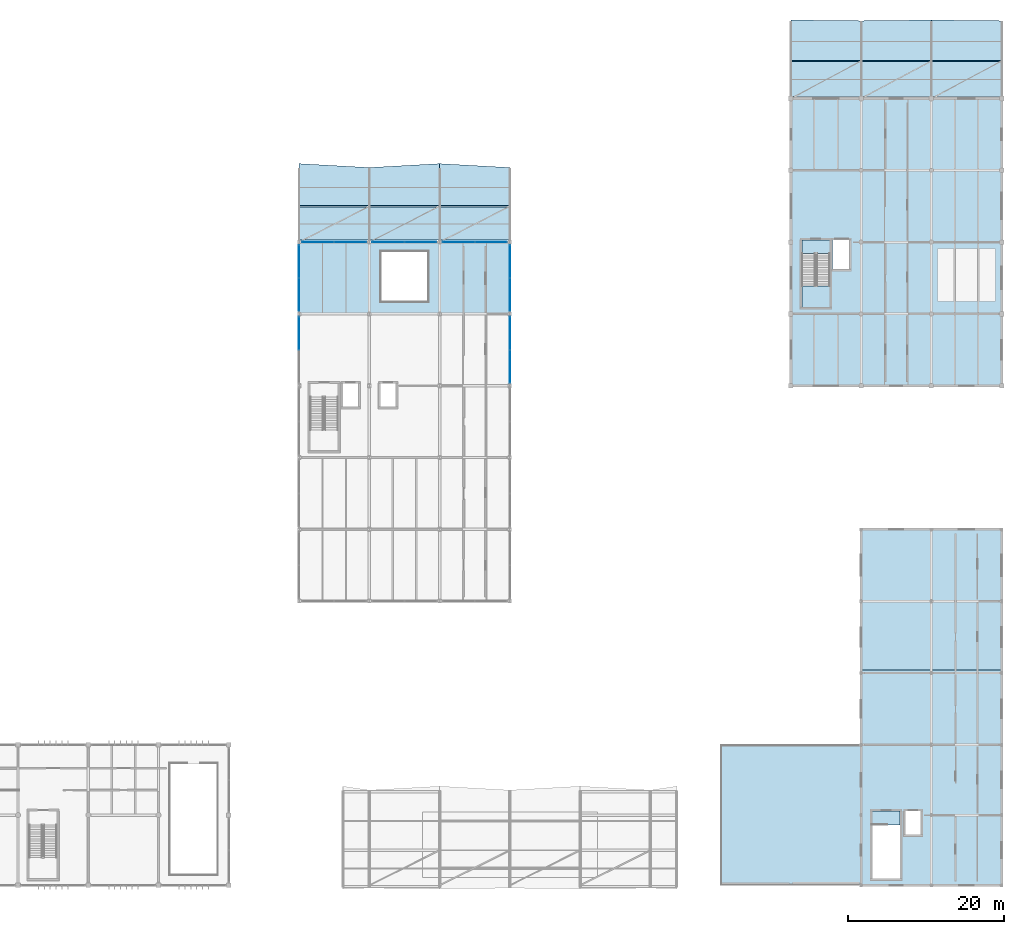
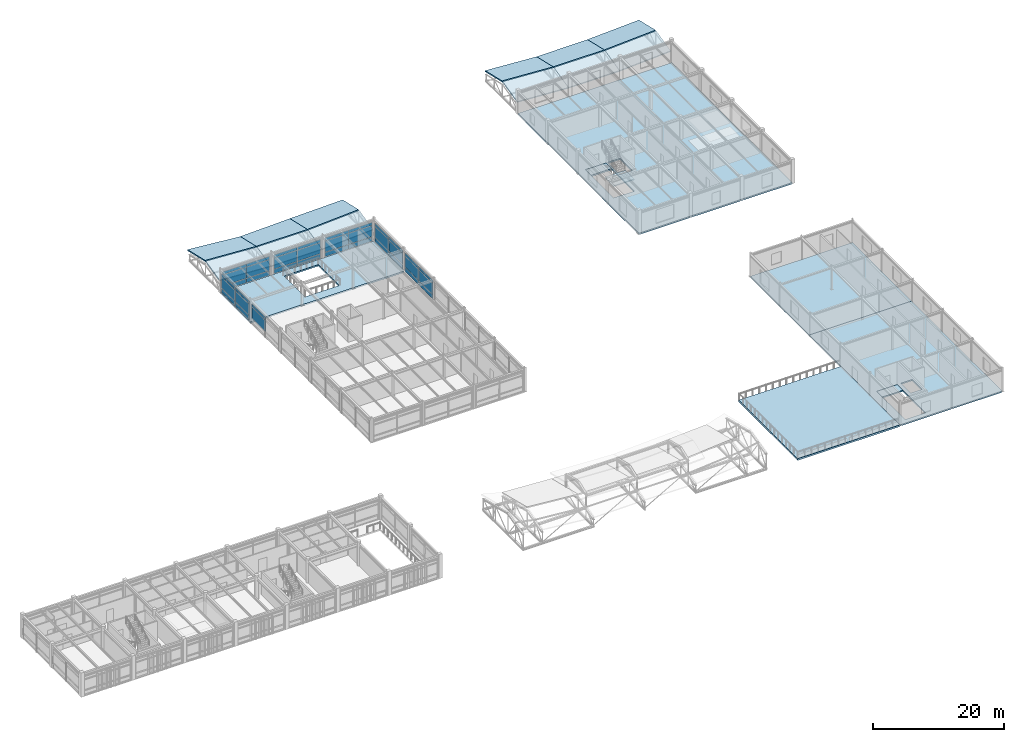
# One storey, part 33 of 55: 38 plates, 20 slabs, 8 elements without a shape of their own.
"""IFC4 building model written with IfcOpenShell, lengths in metres."""

from ifc_helpers import new_model, si_unit, direction, frame, origin, origin_2d, place, context, subcontext, project, spatial, polyline, rectangle, outline, extrude, material, layer, layer_set, type_object, element, aggregate, save


model = new_model("IFC4")

# Units and contexts
model_context = context("Model", 3, precision=1e-05, world=origin(), true_north=direction((0.0, 1.0)))
body_context = subcontext(model_context, "Body", "Model", "MODEL_VIEW")
ifc_project = project(units=[si_unit("LENGTHUNIT", "METRE"), si_unit("AREAUNIT", "SQUARE_METRE"), si_unit("VOLUMEUNIT", "CUBIC_METRE"), si_unit("PLANEANGLEUNIT", "RADIAN"), si_unit("MASSUNIT", "GRAM", prefix="KILO")], contexts=[model_context])

# Site, building, storey
site_placement = place(None, origin())
site = spatial("IfcSite", under=ifc_project, at=site_placement, CompositionType="ELEMENT")
building_placement = place(site_placement, origin())
building = spatial("IfcBuilding", under=site, at=building_placement, Name="Bozkorgan Art Gallery", CompositionType="ELEMENT")
storey_placement = place(building_placement, frame((0.0, 0.0, 15.0)))
storey = spatial("IfcBuildingStorey", under=building, at=storey_placement, Name="L03", CompositionType="ELEMENT", Elevation=15.0)

# Curtain wall, plates
ifc_material_1 = material(Name="Anodised Bronze Aluminium", Category="aluminium")
curtain_wall_type_1 = type_object("IfcCurtainWallType", Name="CW-CW-85", PredefinedType="NOTDEFINED", material=ifc_material_1)
curtain_wall_1_placement = place(storey_placement, origin())
curtain_wall_1 = element("IfcCurtainWall", 1, at=curtain_wall_1_placement, inside=storey, type_object=curtain_wall_type_1, Name="L03 unitised curtain wall CW-V4-L03-1N-02", PredefinedType="NOTDEFINED")
ifc_material_2 = material(Name="Triple Low-E Laminated Glass", Category="glass")
ifc_layer_1 = layer(ifc_material_2, 0.0439453125, Name="Triple Low-E Laminated Glass")
ifc_layer_set_1 = layer_set([ifc_layer_1], Name="Triple Low-E Laminated Glass")
plate_type = type_object("IfcPlateType", Name="CWP-GLZ", PredefinedType="CURTAIN_PANEL", material=ifc_layer_set_1)
plate_1_placement = place(storey_placement, frame((76.41748046875, 84.39990234375, 0.094970703125), z_axis=(0.0, 0.0, 1.0), x_axis=(1.0, 0.0, 0.0)))
plate_1 = element("IfcPlate", 2, at=plate_1_placement, type_object=plate_type, Name="CW-85 panel 1.1", PredefinedType="CURTAIN_PANEL", context=body_context, shape_type="SweptSolid", body=[
    extrude(rectangle(XDim=4.074951171875, YDim=0.0439453125, at=origin_2d()), origin(), (0.0, 0.0, 1.0), 0.78759765625),
])
plate_2_placement = place(storey_placement, frame((76.41748046875, 84.39990234375, 0.95751953125), z_axis=(0.0, 0.0, 1.0), x_axis=(1.0, 0.0, 0.0)))
plate_2 = element("IfcPlate", 3, at=plate_2_placement, type_object=plate_type, Name="CW-85 panel 1.2", PredefinedType="CURTAIN_PANEL", context=body_context, shape_type="SweptSolid", body=[
    extrude(rectangle(XDim=4.074951171875, YDim=0.0439453125, at=origin_2d()), origin(), (0.0, 0.0, 1.0), 2.030029296875),
])
plate_3_placement = place(storey_placement, frame((76.41748046875, 84.39990234375, 3.0625), z_axis=(0.0, 0.0, 1.0), x_axis=(1.0, 0.0, 0.0)))
plate_3 = element("IfcPlate", 4, at=plate_3_placement, type_object=plate_type, Name="CW-85 panel 1.3", PredefinedType="CURTAIN_PANEL", context=body_context, shape_type="SweptSolid", body=[
    extrude(rectangle(XDim=4.074951171875, YDim=0.0439453125, at=origin_2d()), origin(), (0.0, 0.0, 1.0), 0.53759765625),
])
plate_4_placement = place(storey_placement, frame((80.5576171875, 84.39990234375, 0.094970703125), z_axis=(0.0, 0.0, 1.0), x_axis=(1.0, 0.0, 0.0)))
plate_4 = element("IfcPlate", 5, at=plate_4_placement, type_object=plate_type, Name="CW-85 panel 2.1", PredefinedType="CURTAIN_PANEL", context=body_context, shape_type="SweptSolid", body=[
    extrude(rectangle(XDim=4.074951171875, YDim=0.0439453125, at=origin_2d()), origin(), (0.0, 0.0, 1.0), 0.78759765625),
])
plate_5_placement = place(storey_placement, frame((80.5576171875, 84.39990234375, 0.95751953125), z_axis=(0.0, 0.0, 1.0), x_axis=(1.0, 0.0, 0.0)))
plate_5 = element("IfcPlate", 6, at=plate_5_placement, type_object=plate_type, Name="CW-85 panel 2.2", PredefinedType="CURTAIN_PANEL", context=body_context, shape_type="SweptSolid", body=[
    extrude(rectangle(XDim=4.074951171875, YDim=0.0439453125, at=origin_2d()), origin(), (0.0, 0.0, 1.0), 2.030029296875),
])
plate_6_placement = place(storey_placement, frame((80.5576171875, 84.39990234375, 3.0625), z_axis=(0.0, 0.0, 1.0), x_axis=(1.0, 0.0, 0.0)))
plate_6 = element("IfcPlate", 7, at=plate_6_placement, type_object=plate_type, Name="CW-85 panel 2.3", PredefinedType="CURTAIN_PANEL", context=body_context, shape_type="SweptSolid", body=[
    extrude(rectangle(XDim=4.074951171875, YDim=0.0439453125, at=origin_2d()), origin(), (0.0, 0.0, 1.0), 0.53759765625),
])
aggregate(curtain_wall_1, [plate_1, plate_2, plate_3, plate_4, plate_5, plate_6])

curtain_wall_type_2 = type_object("IfcCurtainWallType", Name="CW-CW-86", PredefinedType="NOTDEFINED", material=ifc_material_1)
curtain_wall_2_placement = place(storey_placement, origin())
curtain_wall_2 = element("IfcCurtainWall", 8, at=curtain_wall_2_placement, inside=storey, type_object=curtain_wall_type_2, Name="L03 unitised curtain wall CW-V4-L03-1N-04", PredefinedType="NOTDEFINED")
plate_7_placement = place(storey_placement, frame((85.436279296875, 84.39990234375, 0.094970703125), z_axis=(0.0, 0.0, 1.0), x_axis=(1.0, 0.0, 0.0)))
plate_7 = element("IfcPlate", 9, at=plate_7_placement, type_object=plate_type, Name="CW-86 panel 1.1", PredefinedType="CURTAIN_PANEL", context=body_context, shape_type="SweptSolid", body=[
    extrude(rectangle(XDim=4.0625, YDim=0.0439453125, at=origin_2d()), origin(), (0.0, 0.0, 1.0), 0.78759765625),
])
plate_8_placement = place(storey_placement, frame((85.436279296875, 84.39990234375, 0.95751953125), z_axis=(0.0, 0.0, 1.0), x_axis=(1.0, 0.0, 0.0)))
plate_8 = element("IfcPlate", 10, at=plate_8_placement, type_object=plate_type, Name="CW-86 panel 1.2", PredefinedType="CURTAIN_PANEL", context=body_context, shape_type="SweptSolid", body=[
    extrude(rectangle(XDim=4.0625, YDim=0.0439453125, at=origin_2d()), origin(), (0.0, 0.0, 1.0), 2.030029296875),
])
plate_9_placement = place(storey_placement, frame((85.436279296875, 84.39990234375, 3.0625), z_axis=(0.0, 0.0, 1.0), x_axis=(1.0, 0.0, 0.0)))
plate_9 = element("IfcPlate", 11, at=plate_9_placement, type_object=plate_type, Name="CW-86 panel 1.3", PredefinedType="CURTAIN_PANEL", context=body_context, shape_type="SweptSolid", body=[
    extrude(rectangle(XDim=4.0625, YDim=0.0439453125, at=origin_2d()), origin(), (0.0, 0.0, 1.0), 0.53759765625),
])
plate_10_placement = place(storey_placement, frame((89.563720703125, 84.39990234375, 0.094970703125), z_axis=(0.0, 0.0, 1.0), x_axis=(1.0, 0.0, 0.0)))
plate_10 = element("IfcPlate", 12, at=plate_10_placement, type_object=plate_type, Name="CW-86 panel 2.1", PredefinedType="CURTAIN_PANEL", context=body_context, shape_type="SweptSolid", body=[
    extrude(rectangle(XDim=4.0625, YDim=0.0439453125, at=origin_2d()), origin(), (0.0, 0.0, 1.0), 0.78759765625),
])
plate_11_placement = place(storey_placement, frame((89.563720703125, 84.39990234375, 0.95751953125), z_axis=(0.0, 0.0, 1.0), x_axis=(1.0, 0.0, 0.0)))
plate_11 = element("IfcPlate", 13, at=plate_11_placement, type_object=plate_type, Name="CW-86 panel 2.2", PredefinedType="CURTAIN_PANEL", context=body_context, shape_type="SweptSolid", body=[
    extrude(rectangle(XDim=4.0625, YDim=0.0439453125, at=origin_2d()), origin(), (0.0, 0.0, 1.0), 2.030029296875),
])
plate_12_placement = place(storey_placement, frame((89.563720703125, 84.39990234375, 3.0625), z_axis=(0.0, 0.0, 1.0), x_axis=(1.0, 0.0, 0.0)))
plate_12 = element("IfcPlate", 14, at=plate_12_placement, type_object=plate_type, Name="CW-86 panel 2.3", PredefinedType="CURTAIN_PANEL", context=body_context, shape_type="SweptSolid", body=[
    extrude(rectangle(XDim=4.0625, YDim=0.0439453125, at=origin_2d()), origin(), (0.0, 0.0, 1.0), 0.53759765625),
])
aggregate(curtain_wall_2, [plate_7, plate_8, plate_9, plate_10, plate_11, plate_12])

curtain_wall_3_placement = place(storey_placement, origin())
curtain_wall_3 = element("IfcCurtainWall", 15, at=curtain_wall_3_placement, inside=storey, type_object=curtain_wall_type_1, Name="L03 unitised curtain wall CW-V4-L03-1N-06", PredefinedType="NOTDEFINED")
plate_13_placement = place(storey_placement, frame((94.4423828125, 84.39990234375, 0.094970703125), z_axis=(0.0, 0.0, 1.0), x_axis=(1.0, 0.0, 0.0)))
plate_13 = element("IfcPlate", 16, at=plate_13_placement, type_object=plate_type, Name="CW-85 panel 1.1", PredefinedType="CURTAIN_PANEL", context=body_context, shape_type="SweptSolid", body=[
    extrude(rectangle(XDim=4.074951171875, YDim=0.0439453125, at=origin_2d()), origin(), (0.0, 0.0, 1.0), 0.78759765625),
])
plate_14_placement = place(storey_placement, frame((94.4423828125, 84.39990234375, 0.95751953125), z_axis=(0.0, 0.0, 1.0), x_axis=(1.0, 0.0, 0.0)))
plate_14 = element("IfcPlate", 17, at=plate_14_placement, type_object=plate_type, Name="CW-85 panel 1.2", PredefinedType="CURTAIN_PANEL", context=body_context, shape_type="SweptSolid", body=[
    extrude(rectangle(XDim=4.074951171875, YDim=0.0439453125, at=origin_2d()), origin(), (0.0, 0.0, 1.0), 2.030029296875),
])
plate_15_placement = place(storey_placement, frame((94.4423828125, 84.39990234375, 3.0625), z_axis=(0.0, 0.0, 1.0), x_axis=(1.0, 0.0, 0.0)))
plate_15 = element("IfcPlate", 18, at=plate_15_placement, type_object=plate_type, Name="CW-85 panel 1.3", PredefinedType="CURTAIN_PANEL", context=body_context, shape_type="SweptSolid", body=[
    extrude(rectangle(XDim=4.074951171875, YDim=0.0439453125, at=origin_2d()), origin(), (0.0, 0.0, 1.0), 0.53759765625),
])
plate_16_placement = place(storey_placement, frame((98.58251953125, 84.39990234375, 0.094970703125), z_axis=(0.0, 0.0, 1.0), x_axis=(1.0, 0.0, 0.0)))
plate_16 = element("IfcPlate", 19, at=plate_16_placement, type_object=plate_type, Name="CW-85 panel 2.1", PredefinedType="CURTAIN_PANEL", context=body_context, shape_type="SweptSolid", body=[
    extrude(rectangle(XDim=4.074951171875, YDim=0.0439453125, at=origin_2d()), origin(), (0.0, 0.0, 1.0), 0.78759765625),
])
plate_17_placement = place(storey_placement, frame((98.58251953125, 84.39990234375, 0.95751953125), z_axis=(0.0, 0.0, 1.0), x_axis=(1.0, 0.0, 0.0)))
plate_17 = element("IfcPlate", 20, at=plate_17_placement, type_object=plate_type, Name="CW-85 panel 2.2", PredefinedType="CURTAIN_PANEL", context=body_context, shape_type="SweptSolid", body=[
    extrude(rectangle(XDim=4.074951171875, YDim=0.0439453125, at=origin_2d()), origin(), (0.0, 0.0, 1.0), 2.030029296875),
])
plate_18_placement = place(storey_placement, frame((98.58251953125, 84.39990234375, 3.0625), z_axis=(0.0, 0.0, 1.0), x_axis=(1.0, 0.0, 0.0)))
plate_18 = element("IfcPlate", 21, at=plate_18_placement, type_object=plate_type, Name="CW-85 panel 2.3", PredefinedType="CURTAIN_PANEL", context=body_context, shape_type="SweptSolid", body=[
    extrude(rectangle(XDim=4.074951171875, YDim=0.0439453125, at=origin_2d()), origin(), (0.0, 0.0, 1.0), 0.53759765625),
])
aggregate(curtain_wall_3, [plate_13, plate_14, plate_15, plate_16, plate_17, plate_18])

curtain_wall_type_3 = type_object("IfcCurtainWallType", Name="CW-CW-59", PredefinedType="NOTDEFINED", material=ifc_material_1)
curtain_wall_4_placement = place(storey_placement, origin())
curtain_wall_4 = element("IfcCurtainWall", 22, at=curtain_wall_4_placement, inside=storey, type_object=curtain_wall_type_3, Name="L03 unitised curtain wall CW-V4-L03-1W-13", PredefinedType="NOTDEFINED")
plate_19_placement = place(storey_placement, frame((74.0, 72.726318359375, 0.9599609375), z_axis=(0.0, 0.0, 1.0), x_axis=(0.0, 1.0, 0.0)))
plate_19 = element("IfcPlate", 23, at=plate_19_placement, type_object=plate_type, Name="CW-59 panel 2.2", PredefinedType="CURTAIN_PANEL", context=body_context, shape_type="SweptSolid", body=[
    extrude(rectangle(XDim=4.1875, YDim=0.0439453125, at=origin_2d()), origin(), (0.0, 0.0, 1.0), 2.02490234375),
])
plate_20_placement = place(storey_placement, frame((74.0, 72.726318359375, 3.06494140625), z_axis=(0.0, 0.0, 1.0), x_axis=(0.0, 1.0, 0.0)))
plate_20 = element("IfcPlate", 24, at=plate_20_placement, type_object=plate_type, Name="CW-59 panel 2.3", PredefinedType="CURTAIN_PANEL", context=body_context, shape_type="SweptSolid", body=[
    extrude(rectangle(XDim=4.1875, YDim=0.0439453125, at=origin_2d()), origin(), (0.0, 0.0, 1.0), 0.530029296875),
])
aggregate(curtain_wall_4, [plate_19, plate_20])

curtain_wall_5_placement = place(storey_placement, origin())
curtain_wall_5 = element("IfcCurtainWall", 25, at=curtain_wall_5_placement, inside=storey, type_object=curtain_wall_type_3, Name="L03 unitised curtain wall CW-V4-L03-1E-14", PredefinedType="NOTDEFINED")
plate_21_placement = place(storey_placement, frame((101.0, 68.4736328125, 0.10009765625), z_axis=(0.0, 0.0, 1.0), x_axis=(0.0, 1.0, 0.0)))
plate_21 = element("IfcPlate", 26, at=plate_21_placement, type_object=plate_type, Name="CW-59 panel 1.1", PredefinedType="CURTAIN_PANEL", context=body_context, shape_type="SweptSolid", body=[
    extrude(rectangle(XDim=4.1875, YDim=0.0439453125, at=origin_2d()), origin(), (0.0, 0.0, 1.0), 0.780029296875),
])
plate_22_placement = place(storey_placement, frame((101.0, 68.4736328125, 0.9599609375), z_axis=(0.0, 0.0, 1.0), x_axis=(0.0, 1.0, 0.0)))
plate_22 = element("IfcPlate", 27, at=plate_22_placement, type_object=plate_type, Name="CW-59 panel 1.2", PredefinedType="CURTAIN_PANEL", context=body_context, shape_type="SweptSolid", body=[
    extrude(rectangle(XDim=4.1875, YDim=0.0439453125, at=origin_2d()), origin(), (0.0, 0.0, 1.0), 2.02490234375),
])
plate_23_placement = place(storey_placement, frame((101.0, 68.4736328125, 3.06494140625), z_axis=(0.0, 0.0, 1.0), x_axis=(0.0, 1.0, 0.0)))
plate_23 = element("IfcPlate", 28, at=plate_23_placement, type_object=plate_type, Name="CW-59 panel 1.3", PredefinedType="CURTAIN_PANEL", context=body_context, shape_type="SweptSolid", body=[
    extrude(rectangle(XDim=4.1875, YDim=0.0439453125, at=origin_2d()), origin(), (0.0, 0.0, 1.0), 0.530029296875),
])
plate_24_placement = place(storey_placement, frame((101.0, 72.726318359375, 0.10009765625), z_axis=(0.0, 0.0, 1.0), x_axis=(0.0, 1.0, 0.0)))
plate_24 = element("IfcPlate", 29, at=plate_24_placement, type_object=plate_type, Name="CW-59 panel 2.1", PredefinedType="CURTAIN_PANEL", context=body_context, shape_type="SweptSolid", body=[
    extrude(rectangle(XDim=4.1875, YDim=0.0439453125, at=origin_2d()), origin(), (0.0, 0.0, 1.0), 0.780029296875),
])
plate_25_placement = place(storey_placement, frame((101.0, 72.726318359375, 0.9599609375), z_axis=(0.0, 0.0, 1.0), x_axis=(0.0, 1.0, 0.0)))
plate_25 = element("IfcPlate", 30, at=plate_25_placement, type_object=plate_type, Name="CW-59 panel 2.2", PredefinedType="CURTAIN_PANEL", context=body_context, shape_type="SweptSolid", body=[
    extrude(rectangle(XDim=4.1875, YDim=0.0439453125, at=origin_2d()), origin(), (0.0, 0.0, 1.0), 2.02490234375),
])
plate_26_placement = place(storey_placement, frame((101.0, 72.726318359375, 3.06494140625), z_axis=(0.0, 0.0, 1.0), x_axis=(0.0, 1.0, 0.0)))
plate_26 = element("IfcPlate", 31, at=plate_26_placement, type_object=plate_type, Name="CW-59 panel 2.3", PredefinedType="CURTAIN_PANEL", context=body_context, shape_type="SweptSolid", body=[
    extrude(rectangle(XDim=4.1875, YDim=0.0439453125, at=origin_2d()), origin(), (0.0, 0.0, 1.0), 0.530029296875),
])
aggregate(curtain_wall_5, [plate_21, plate_22, plate_23, plate_24, plate_25, plate_26])

curtain_wall_6_placement = place(storey_placement, origin())
curtain_wall_6 = element("IfcCurtainWall", 32, at=curtain_wall_6_placement, inside=storey, type_object=curtain_wall_type_3, Name="L03 unitised curtain wall CW-V4-L03-1W-15", PredefinedType="NOTDEFINED")
plate_27_placement = place(storey_placement, frame((74.0, 77.673828125, 0.10009765625), z_axis=(0.0, 0.0, 1.0), x_axis=(0.0, 1.0, 0.0)))
plate_27 = element("IfcPlate", 33, at=plate_27_placement, type_object=plate_type, Name="CW-59 panel 1.1", PredefinedType="CURTAIN_PANEL", context=body_context, shape_type="SweptSolid", body=[
    extrude(rectangle(XDim=4.1875, YDim=0.0439453125, at=origin_2d()), origin(), (0.0, 0.0, 1.0), 0.780029296875),
])
plate_28_placement = place(storey_placement, frame((74.0, 77.673828125, 0.9599609375), z_axis=(0.0, 0.0, 1.0), x_axis=(0.0, 1.0, 0.0)))
plate_28 = element("IfcPlate", 34, at=plate_28_placement, type_object=plate_type, Name="CW-59 panel 1.2", PredefinedType="CURTAIN_PANEL", context=body_context, shape_type="SweptSolid", body=[
    extrude(rectangle(XDim=4.1875, YDim=0.0439453125, at=origin_2d()), origin(), (0.0, 0.0, 1.0), 2.02490234375),
])
plate_29_placement = place(storey_placement, frame((74.0, 77.673828125, 3.06494140625), z_axis=(0.0, 0.0, 1.0), x_axis=(0.0, 1.0, 0.0)))
plate_29 = element("IfcPlate", 35, at=plate_29_placement, type_object=plate_type, Name="CW-59 panel 1.3", PredefinedType="CURTAIN_PANEL", context=body_context, shape_type="SweptSolid", body=[
    extrude(rectangle(XDim=4.1875, YDim=0.0439453125, at=origin_2d()), origin(), (0.0, 0.0, 1.0), 0.530029296875),
])
plate_30_placement = place(storey_placement, frame((74.0, 81.92626953125, 0.10009765625), z_axis=(0.0, 0.0, 1.0), x_axis=(0.0, 1.0, 0.0)))
plate_30 = element("IfcPlate", 36, at=plate_30_placement, type_object=plate_type, Name="CW-59 panel 2.1", PredefinedType="CURTAIN_PANEL", context=body_context, shape_type="SweptSolid", body=[
    extrude(rectangle(XDim=4.1875, YDim=0.0439453125, at=origin_2d()), origin(), (0.0, 0.0, 1.0), 0.780029296875),
])
plate_31_placement = place(storey_placement, frame((74.0, 81.92626953125, 0.9599609375), z_axis=(0.0, 0.0, 1.0), x_axis=(0.0, 1.0, 0.0)))
plate_31 = element("IfcPlate", 37, at=plate_31_placement, type_object=plate_type, Name="CW-59 panel 2.2", PredefinedType="CURTAIN_PANEL", context=body_context, shape_type="SweptSolid", body=[
    extrude(rectangle(XDim=4.1875, YDim=0.0439453125, at=origin_2d()), origin(), (0.0, 0.0, 1.0), 2.02490234375),
])
plate_32_placement = place(storey_placement, frame((74.0, 81.92626953125, 3.06494140625), z_axis=(0.0, 0.0, 1.0), x_axis=(0.0, 1.0, 0.0)))
plate_32 = element("IfcPlate", 38, at=plate_32_placement, type_object=plate_type, Name="CW-59 panel 2.3", PredefinedType="CURTAIN_PANEL", context=body_context, shape_type="SweptSolid", body=[
    extrude(rectangle(XDim=4.1875, YDim=0.0439453125, at=origin_2d()), origin(), (0.0, 0.0, 1.0), 0.530029296875),
])
aggregate(curtain_wall_6, [plate_27, plate_28, plate_29, plate_30, plate_31, plate_32])

curtain_wall_7_placement = place(storey_placement, origin())
curtain_wall_7 = element("IfcCurtainWall", 39, at=curtain_wall_7_placement, inside=storey, type_object=curtain_wall_type_3, Name="L03 unitised curtain wall CW-V4-L03-1E-16", PredefinedType="NOTDEFINED")
plate_33_placement = place(storey_placement, frame((101.0, 77.673828125, 0.10009765625), z_axis=(0.0, 0.0, 1.0), x_axis=(0.0, 1.0, 0.0)))
plate_33 = element("IfcPlate", 40, at=plate_33_placement, type_object=plate_type, Name="CW-59 panel 1.1", PredefinedType="CURTAIN_PANEL", context=body_context, shape_type="SweptSolid", body=[
    extrude(rectangle(XDim=4.1875, YDim=0.0439453125, at=origin_2d()), origin(), (0.0, 0.0, 1.0), 0.780029296875),
])
plate_34_placement = place(storey_placement, frame((101.0, 77.673828125, 0.9599609375), z_axis=(0.0, 0.0, 1.0), x_axis=(0.0, 1.0, 0.0)))
plate_34 = element("IfcPlate", 41, at=plate_34_placement, type_object=plate_type, Name="CW-59 panel 1.2", PredefinedType="CURTAIN_PANEL", context=body_context, shape_type="SweptSolid", body=[
    extrude(rectangle(XDim=4.1875, YDim=0.0439453125, at=origin_2d()), origin(), (0.0, 0.0, 1.0), 2.02490234375),
])
plate_35_placement = place(storey_placement, frame((101.0, 77.673828125, 3.06494140625), z_axis=(0.0, 0.0, 1.0), x_axis=(0.0, 1.0, 0.0)))
plate_35 = element("IfcPlate", 42, at=plate_35_placement, type_object=plate_type, Name="CW-59 panel 1.3", PredefinedType="CURTAIN_PANEL", context=body_context, shape_type="SweptSolid", body=[
    extrude(rectangle(XDim=4.1875, YDim=0.0439453125, at=origin_2d()), origin(), (0.0, 0.0, 1.0), 0.530029296875),
])
plate_36_placement = place(storey_placement, frame((101.0, 81.92626953125, 0.10009765625), z_axis=(0.0, 0.0, 1.0), x_axis=(0.0, 1.0, 0.0)))
plate_36 = element("IfcPlate", 43, at=plate_36_placement, type_object=plate_type, Name="CW-59 panel 2.1", PredefinedType="CURTAIN_PANEL", context=body_context, shape_type="SweptSolid", body=[
    extrude(rectangle(XDim=4.1875, YDim=0.0439453125, at=origin_2d()), origin(), (0.0, 0.0, 1.0), 0.780029296875),
])
plate_37_placement = place(storey_placement, frame((101.0, 81.92626953125, 0.9599609375), z_axis=(0.0, 0.0, 1.0), x_axis=(0.0, 1.0, 0.0)))
plate_37 = element("IfcPlate", 44, at=plate_37_placement, type_object=plate_type, Name="CW-59 panel 2.2", PredefinedType="CURTAIN_PANEL", context=body_context, shape_type="SweptSolid", body=[
    extrude(rectangle(XDim=4.1875, YDim=0.0439453125, at=origin_2d()), origin(), (0.0, 0.0, 1.0), 2.02490234375),
])
plate_38_placement = place(storey_placement, frame((101.0, 81.92626953125, 3.06494140625), z_axis=(0.0, 0.0, 1.0), x_axis=(0.0, 1.0, 0.0)))
plate_38 = element("IfcPlate", 45, at=plate_38_placement, type_object=plate_type, Name="CW-59 panel 2.3", PredefinedType="CURTAIN_PANEL", context=body_context, shape_type="SweptSolid", body=[
    extrude(rectangle(XDim=4.1875, YDim=0.0439453125, at=origin_2d()), origin(), (0.0, 0.0, 1.0), 0.530029296875),
])
aggregate(curtain_wall_7, [plate_33, plate_34, plate_35, plate_36, plate_37, plate_38])

# Stair, slab
ifc_material_3 = material(Name="Concrete C35/45", Category="concrete")
stair_type = type_object("IfcStairType", Name="STAIR-CORE3", PredefinedType="HALF_TURN_STAIR", material=ifc_material_3)
stair_placement = place(storey_placement, origin())
stair = element("IfcStair", 46, at=stair_placement, inside=storey, type_object=stair_type, Name="L03 ST3 Core Stair", PredefinedType="HALF_TURN_STAIR")
ifc_layer_2 = layer(ifc_material_3, 0.25, Name="Concrete C35/45")
ifc_layer_set_2 = layer_set([ifc_layer_2], Name="Concrete C35/45")
slab_type_1 = type_object("IfcSlabType", Name="LAND-CORE3", PredefinedType="LANDING", material=ifc_layer_set_2)
slab_1_placement = place(storey_placement, frame((0.0, 0.0, 2.050048828125)))
slab_1 = element("IfcSlab", 47, at=slab_1_placement, type_object=slab_type_1, Name="ST3 landing 1", PredefinedType="LANDING", context=body_context, shape_type="SweptSolid", body=[
    extrude(outline(polyline([(138.39990234375, 78.75), (138.39990234375, 76.050048828125), (142.0, 76.050048828125), (142.0, 78.75), (138.39990234375, 78.75)])), origin(), (0.0, 0.0, 1.0), 0.199951171875),
])
aggregate(stair, [slab_1])

# Slabs
slab_2_placement = place(storey_placement, frame((0.0, 0.0, -0.280029296875)))
element("IfcSlab", 48, at=slab_2_placement, inside=storey, type_object=slab_type_1, Name="ST3 L03 floor landing", PredefinedType="LANDING", context=body_context, shape_type="SweptSolid", body=[
    extrude(outline(polyline([(138.39990234375, 82.949951171875), (142.0, 82.949951171875), (142.0, 84.699951171875), (138.39990234375, 84.699951171875), (138.39990234375, 82.949951171875)])), origin(), (0.0, 0.0, 1.0), 0.280029296875),
])
ifc_layer_3 = layer(ifc_material_3, 0.25, Name="Concrete C35/45")
ifc_layer_set_3 = layer_set([ifc_layer_3], Name="Concrete C35/45")
slab_type_2 = type_object("IfcSlabType", Name="LAND-CORE4", PredefinedType="LANDING", material=ifc_layer_set_3)
slab_3_placement = place(storey_placement, frame((0.0, 0.0, -0.239990234375)))
element("IfcSlab", 49, at=slab_3_placement, inside=storey, type_object=slab_type_2, Name="ST4 L03 floor landing", PredefinedType="LANDING", context=body_context, shape_type="SweptSolid", body=[
    extrude(outline(polyline([(147.39990234375, 9.75), (151.0, 9.75), (151.0, 11.5), (147.39990234375, 11.5), (147.39990234375, 9.75)])), origin(), (0.0, 0.0, 1.0), 0.239990234375),
])
ifc_layer_4 = layer(ifc_material_3, 0.219970703125, Name="Concrete C35/45")
ifc_layer_set_4 = layer_set([ifc_layer_4], Name="Concrete C35/45")
slab_type_3 = type_object("IfcSlabType", Name="SLAB-RF-44", PredefinedType="ROOF", material=ifc_layer_set_4)
slab_4_placement = place(storey_placement, frame((74.0, 84.64990234375, 2.015869140625), z_axis=(0.056999095142, -0.224591426044, 0.972784557084), x_axis=(0.998287793766, 0.0, -0.058493425416)))
element("IfcSlab", 50, at=slab_4_placement, inside=storey, type_object=slab_type_3, Name="ROOF-V4-STEP3 swept-eave pitched roof slab 1S", PredefinedType="ROOF", context=body_context, shape_type="SweptSolid", body=[
    extrude(outline(polyline([(0.0, 0.0), (9.015436286207343, -1.3877787807814457e-17), (8.957771136834829, 4.381965509372402), (-0.05766514937251508, 4.381965509372402), (0.0, 0.0)])), origin(), (0.0, 0.0, -1.0), 0.219970703125),
])
slab_5_placement = place(storey_placement, frame((74.0, 89.080078125, 3.001708984375), z_axis=(0.056996759001, 0.224583743415, 0.972786467657), x_axis=(0.998287933064, 5.4886e-07, -0.058491048026)))
element("IfcSlab", 51, at=slab_5_placement, inside=storey, type_object=slab_type_3, Name="ROOF-V4-STEP3 swept-eave pitched roof slab 1N", PredefinedType="ROOF", context=body_context, shape_type="SweptSolid", body=[
    extrude(outline(polyline([(0.0, 0.0), (9.015436286180423, -1.3877787807814457e-17), (9.08119854796315, 4.997531030853378), (0.07251699561591787, 5.510648618936285), (0.0, 0.0)])), origin(), (0.0, 0.0, -1.0), 0.219970703125),
])
slab_6_placement = place(storey_placement, frame((83.0, 84.64990234375, 1.488525390625), z_axis=(0.0, -0.224957154634, 0.974368656402), x_axis=(1.0, 0.0, 0.0)))
element("IfcSlab", 52, at=slab_6_placement, inside=storey, type_object=slab_type_3, Name="ROOF-V4-STEP3 swept-eave pitched roof slab 2S", PredefinedType="ROOF", context=body_context, shape_type="SweptSolid", body=[
    extrude(outline(polyline([(0.0, 0.0), (9.0, 0.0), (9.0, 4.382344919649923), (0.0, 4.382344919649923), (0.0, 0.0)])), origin(), (0.0, 0.0, -1.0), 0.219970703125),
])
slab_7_placement = place(storey_placement, frame((83.0, 89.080078125, 2.474365234375), z_axis=(2.452075e-06, 0.224949429444, 0.974370439918), x_axis=(0.999999999997, -5.51593e-07, -2.389229e-06)))
element("IfcSlab", 53, at=slab_7_placement, inside=storey, type_object=slab_type_3, Name="ROOF-V4-STEP3 swept-eave pitched roof slab 2N", PredefinedType="ROOF", context=body_context, shape_type="SweptSolid", body=[
    extrude(outline(polyline([(0.0, 0.0), (8.999999999972944, 0.0), (9.00000000002706, 5.511125739450694), (-5.411404325670038e-11, 4.997963693287059), (0.0, 0.0)])), origin(), (0.0, 0.0, -1.0), 0.219970703125),
])
slab_8_placement = place(storey_placement, frame((92.0, 84.64990234375, 1.488525390625), z_axis=(-0.056999095142, -0.224591426044, 0.972784557084), x_axis=(0.998287793766, 0.0, 0.058493425416)))
element("IfcSlab", 54, at=slab_8_placement, inside=storey, type_object=slab_type_3, Name="ROOF-V4-STEP3 swept-eave pitched roof slab 3S", PredefinedType="ROOF", context=body_context, shape_type="SweptSolid", body=[
    extrude(outline(polyline([(0.0, 0.0), (9.015436286207343, 1.3877787807814457e-17), (9.073101435579858, 4.381965509372402), (0.05766514937251508, 4.381965509372402), (0.0, 0.0)])), origin(), (0.0, 0.0, -1.0), 0.219970703125),
])
slab_9_placement = place(storey_placement, frame((92.0, 89.080078125, 2.474365234375), z_axis=(-0.05700163927, 0.224583680739, 0.972786196174), x_axis=(0.998287654463, 5.48859e-07, 0.058495802805)))
element("IfcSlab", 55, at=slab_9_placement, inside=storey, type_object=slab_type_3, Name="ROOF-V4-STEP3 swept-eave pitched roof slab 3N", PredefinedType="ROOF", context=body_context, shape_type="SweptSolid", body=[
    extrude(outline(polyline([(0.0, 0.0), (9.015436286180423, 1.3877787807814457e-17), (8.949674024505388, 4.9975310308547956), (-0.07251699572360963, 5.510648618934868), (0.0, 0.0)])), origin(), (0.0, 0.0, -1.0), 0.219970703125),
])
slab_10_placement = place(storey_placement, frame((137.0, 103.050048828125, 2.01806640625), z_axis=(0.056966074205, -0.227988247581, 0.971996000689), x_axis=(0.998287044124, 3.000546e-06, -0.058506217828)))
element("IfcSlab", 56, at=slab_10_placement, inside=storey, type_object=slab_type_3, Name="ROOF-V5-STEP3 swept-eave pitched roof slab 1S", PredefinedType="ROOF", context=body_context, shape_type="SweptSolid", body=[
    extrude(outline(polyline([(0.0, 0.0), (9.015436285426558, -1.3877787807814457e-17), (8.954115298521804, 4.590848966942427), (-0.061335270649339815, 4.590904532832246), (0.0, 0.0)])), origin(), (0.0, 0.0, -1.0), 0.219970703125),
])
slab_11_placement = place(storey_placement, frame((137.0, 107.679931640625, 3.066650390625), z_axis=(0.056968501041, 0.227960772683, 0.97200230247), x_axis=(0.998286844911, 2.531972e-06, -0.05850961691)))
element("IfcSlab", 57, at=slab_11_placement, inside=storey, type_object=slab_type_3, Name="ROOF-V5-STEP3 swept-eave pitched roof slab 1N", PredefinedType="ROOF", context=body_context, shape_type="SweptSolid", body=[
    extrude(outline(polyline([(0.0, 0.0), (9.015450569567065, -2.7755575615628914e-17), (9.085029284366506, 5.207147910404389), (0.07096457196469529, 5.309999260328533), (0.0, 0.0)])), origin(), (0.0, 0.0, -1.0), 0.219970703125),
])
slab_12_placement = place(storey_placement, frame((146.0, 103.050048828125, 1.49072265625), z_axis=(0.0, -0.228333875388, 0.973582888793), x_axis=(1.0, 0.0, 0.0)))
element("IfcSlab", 58, at=slab_12_placement, inside=storey, type_object=slab_type_3, Name="ROOF-V5-STEP3 swept-eave pitched roof slab 2S", PredefinedType="ROOF", context=body_context, shape_type="SweptSolid", body=[
    extrude(outline(polyline([(0.0, 0.0), (9.0, 0.0), (9.0, 4.591258489215085), (0.0, 4.591258489215085), (0.0, 0.0)])), origin(), (0.0, 0.0, -1.0), 0.219970703125),
])
slab_13_placement = place(storey_placement, frame((146.0, 107.679931640625, 2.5390625), z_axis=(1.1144218e-05, 0.228331588598, 0.973583425046), x_axis=(0.999999999938, -2.544577e-06, -1.0849826e-05)))
element("IfcSlab", 59, at=slab_13_placement, inside=storey, type_object=slab_type_3, Name="ROOF-V5-STEP3 swept-eave pitched roof slab 2N", PredefinedType="ROOF", context=body_context, shape_type="SweptSolid", body=[
    extrude(outline(polyline([(0.0, 0.0), (8.99999999944113, 3.8116482626443515e-21), (9.000000000558872, 5.3104734360630275), (-1.117742351794873e-09, 5.207612750421184), (0.0, 0.0)])), origin(), (0.0, 0.0, -1.0), 0.219970703125),
])
slab_14_placement = place(storey_placement, frame((155.0, 103.050048828125, 1.49072265625), z_axis=(-0.056966074205, -0.227988247581, 0.971996000689), x_axis=(0.998287044124, -3.000546e-06, 0.058506217828)))
element("IfcSlab", 60, at=slab_14_placement, inside=storey, type_object=slab_type_3, Name="ROOF-V5-STEP3 swept-eave pitched roof slab 3S", PredefinedType="ROOF", context=body_context, shape_type="SweptSolid", body=[
    extrude(outline(polyline([(0.0, 0.0), (9.015436285426558, 1.3877787807814457e-17), (9.076771556075899, 4.590904532832246), (0.06132098690475292, 4.590848966942426), (0.0, 0.0)])), origin(), (0.0, 0.0, -1.0), 0.219970703125),
])
slab_15_placement = place(storey_placement, frame((155.0, 107.679931640625, 2.5390625), z_axis=(-0.056977110757, 0.22798262595, 0.971996672378), x_axis=(0.998286336459, -4.97598e-07, 0.058518291492)))
element("IfcSlab", 61, at=slab_15_placement, inside=storey, type_object=slab_type_3, Name="ROOF-V5-STEP3 swept-eave pitched roof slab 3N", PredefinedType="ROOF", context=body_context, shape_type="SweptSolid", body=[
    extrude(outline(polyline([(0.0, 0.0), (9.015450570101693, 0.0), (8.945857569251329, 5.207203471259709), (-0.07096457311564032, 5.309999261220857), (0.0, 0.0)])), origin(), (0.0, 0.0, -1.0), 0.219970703125),
])
ifc_layer_5 = layer(ifc_material_3, 0.239990234375, Name="Concrete C35/45")
ifc_layer_set_5 = layer_set([ifc_layer_5], Name="Concrete C35/45")
slab_type_4 = type_object("IfcSlabType", Name="SLAB-SL-33", PredefinedType="FLOOR", material=ifc_layer_set_5)
slab_16_placement = place(storey_placement, frame((0.0, 0.0, -0.239990234375)))
element("IfcSlab", 62, at=slab_16_placement, inside=storey, type_object=slab_type_4, Name="V6 L03 floor slab 1.1", PredefinedType="FLOOR", context=body_context, shape_type="SweptSolid", body=[
    extrude(outline(polyline([(146.0, 2.0), (164.0, 2.0), (164.0, 29.60009765625), (146.0, 29.60009765625), (146.0, 2.0)]), holes=[polyline([(147.39990234375, 2.85009765625), (151.0, 2.85009765625), (151.0, 11.5), (147.39990234375, 11.5), (147.39990234375, 2.85009765625)]), polyline([(151.64990234375, 8.5), (153.64990234375, 8.5), (153.64990234375, 11.5), (151.64990234375, 11.5), (151.64990234375, 8.5)])]), origin(), (0.0, 0.0, 1.0), 0.239990234375),
])
slab_17_placement = place(storey_placement, frame((0.0, 0.0, -0.239990234375)))
element("IfcSlab", 63, at=slab_17_placement, inside=storey, type_object=slab_type_4, Name="V6 L03 floor slab 1.2", PredefinedType="FLOOR", context=body_context, shape_type="SweptSolid", body=[
    extrude(outline(polyline([(146.0, 29.60009765625), (164.0, 29.60009765625), (164.0, 47.60009765625), (146.0, 47.60009765625), (146.0, 29.60009765625)])), origin(), (0.0, 0.0, 1.0), 0.239990234375),
])
ifc_layer_6 = layer(ifc_material_3, 0.280029296875, Name="Concrete C35/45")
ifc_layer_set_6 = layer_set([ifc_layer_6], Name="Concrete C35/45")
slab_type_5 = type_object("IfcSlabType", Name="SLAB-SL-86", PredefinedType="FLOOR", material=ifc_layer_set_6)
slab_18_placement = place(storey_placement, frame((0.0, 0.0, -0.280029296875)))
element("IfcSlab", 64, at=slab_18_placement, inside=storey, type_object=slab_type_5, Name="V4 L03 floor slab 1.2", PredefinedType="FLOOR", context=body_context, shape_type="SweptSolid", body=[
    extrude(outline(polyline([(74.0, 75.199951171875), (101.0, 75.199951171875), (101.0, 84.39990234375), (74.0, 84.39990234375), (74.0, 75.199951171875)]), holes=[polyline([(84.5, 76.800048828125), (90.5, 76.800048828125), (90.5, 83.199951171875), (84.5, 83.199951171875), (84.5, 76.800048828125)])]), origin(), (0.0, 0.0, 1.0), 0.280029296875),
])
slab_19_placement = place(storey_placement, frame((0.0, 0.0, -0.280029296875)))
element("IfcSlab", 65, at=slab_19_placement, inside=storey, type_object=slab_type_5, Name="V5 L03 floor slab 1.1", PredefinedType="FLOOR", context=body_context, shape_type="SweptSolid", body=[
    extrude(outline(polyline([(137.0, 66.0), (164.0, 66.0), (164.0, 102.800048828125), (137.0, 102.800048828125), (137.0, 66.0)]), holes=[polyline([(138.39990234375, 76.050048828125), (142.0, 76.050048828125), (142.0, 84.699951171875), (138.39990234375, 84.699951171875), (138.39990234375, 76.050048828125)]), polyline([(142.300048828125, 80.89990234375), (144.5, 80.89990234375), (144.5, 84.699951171875), (142.300048828125, 84.699951171875), (142.300048828125, 80.89990234375)])]), origin(), (0.0, 0.0, 1.0), 0.280029296875),
])
ifc_layer_7 = layer(ifc_material_3, 0.320068359375, Name="Concrete C35/45")
ifc_layer_set_7 = layer_set([ifc_layer_7], Name="Concrete C35/45")
slab_type_6 = type_object("IfcSlabType", Name="SLAB-TR-56", PredefinedType="FLOOR", material=ifc_layer_set_7)
slab_20_placement = place(storey_placement, frame((0.0, 0.0, -0.320068359375)))
element("IfcSlab", 66, at=slab_20_placement, inside=storey, type_object=slab_type_6, Name="L03 Courtyard Roof Terrace", PredefinedType="FLOOR", context=body_context, shape_type="SweptSolid", body=[
    extrude(outline(polyline([(128.0, 2.0), (146.0, 2.0), (146.0, 20.0), (128.0, 20.0), (128.0, 2.0)])), origin(), (0.0, 0.0, 1.0), 0.320068359375),
])

save(model, "model.ifc")
